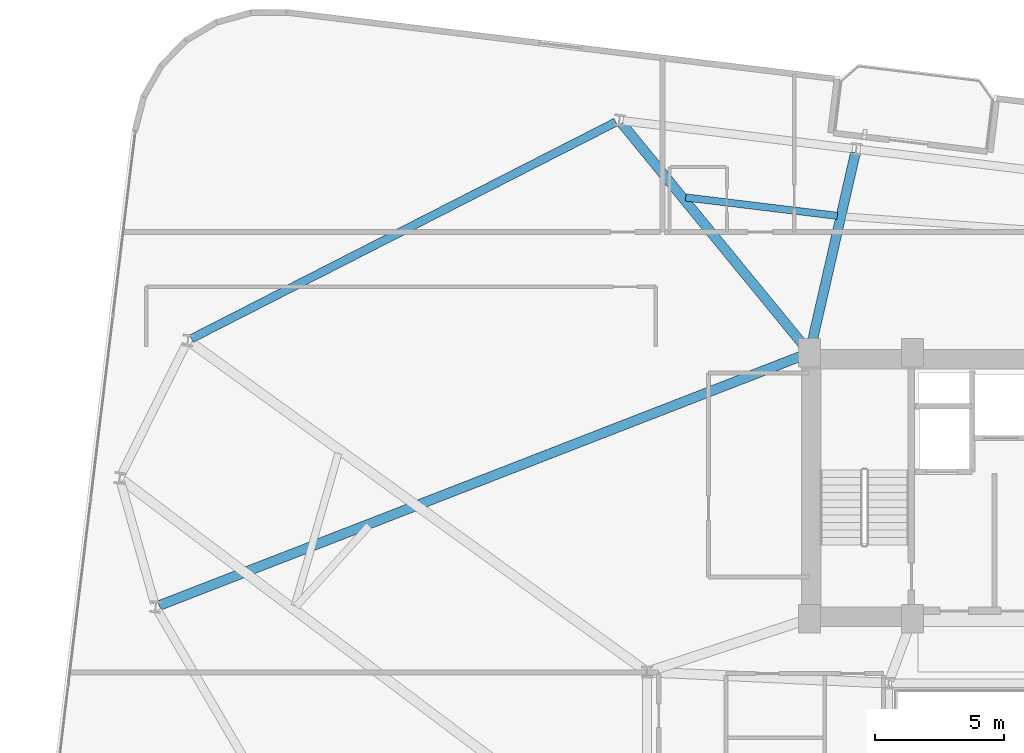
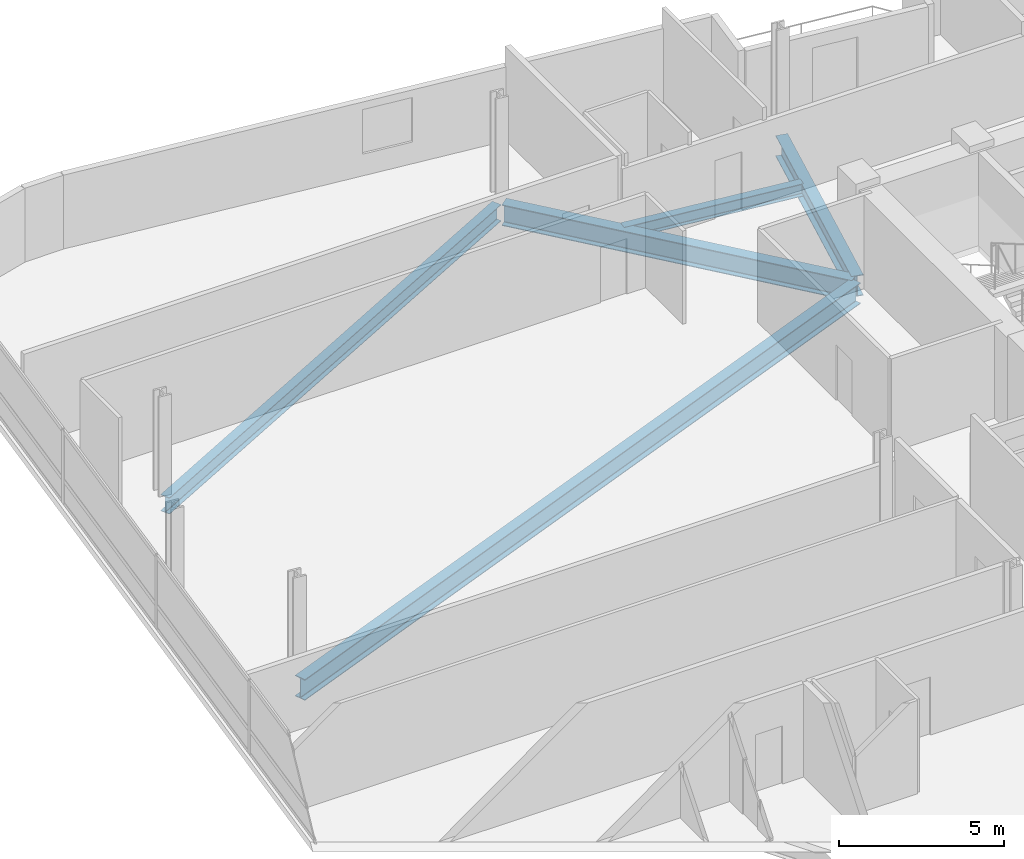
# One storey, part 11 of 26: 5 beams.
"""IFC4 building model written with IfcOpenShell, lengths in metres."""

from ifc_helpers import new_model, si_unit, direction, frame, origin, origin_2d, place, context, subcontext, project, spatial, i_section, extrude, material, material_profile, profile_set, type_object, element, save


model = new_model("IFC4")

# Units and contexts
model_context = context("Model", 3, precision=1e-05, world=origin(), true_north=direction((0.0, 1.0)))
body_context = subcontext(model_context, "Body", "Model", "MODEL_VIEW")
ifc_project = project(units=[si_unit("LENGTHUNIT", "METRE"), si_unit("AREAUNIT", "SQUARE_METRE"), si_unit("VOLUMEUNIT", "CUBIC_METRE"), si_unit("PLANEANGLEUNIT", "RADIAN"), si_unit("MASSUNIT", "GRAM", prefix="KILO")], contexts=[model_context])

# Site, building, storey
site_placement = place(None, origin())
site = spatial("IfcSite", under=ifc_project, at=site_placement, CompositionType="ELEMENT")
building_placement = place(site_placement, origin())
building = spatial("IfcBuilding", under=site, at=building_placement, Name="Varnelok Gate Tower", CompositionType="ELEMENT")
storey_placement = place(building_placement, frame((0.0, 0.0, 147.60009765625)))
storey = spatial("IfcBuildingStorey", under=building, at=storey_placement, Name="L37", CompositionType="ELEMENT", Elevation=147.60009765625)

# Beams
ifc_material = material(Name="Structural Steel ASTM A992 Grade 50", Category="steel")
ifc_material_profile_1 = material_profile(ifc_material, i_section(OverallWidth=0.280029296875, OverallDepth=0.462890625, WebThickness=0.0107421875, FlangeThickness=0.017333984375, FilletRadius=0.014892578125, at=origin_2d()), Name="W18X76")
ifc_profile_set_1 = profile_set([ifc_material_profile_1], Name="Structural Steel ASTM A992 Grade 50")
beam_type_1 = type_object("IfcBeamType", Name="BM-JST-W18X76", PredefinedType="JOIST", material=ifc_profile_set_1)
beam_1_placement = place(storey_placement, frame((31.77099609375, 44.35498046875, -0.481689453125), z_axis=(-0.992731840387, 0.120347385022, 0.0), x_axis=(-0.120347385022, -0.992731840387, 0.0)))
element("IfcBeam", 1, at=beam_1_placement, inside=storey, type_object=beam_type_1, Name="L37 Sector Floor Joist 10", PredefinedType="JOIST", context=body_context, shape_type="SweptSolid", body=[
    extrude(i_section(OverallWidth=0.280029296875, OverallDepth=0.462890625, WebThickness=0.0107421875, FlangeThickness=0.017333984375, FilletRadius=0.014892578125, at=origin_2d()), origin(), (0.0, 0.0, 1.0), 5.91748046875),
])
ifc_material_profile_2 = material_profile(ifc_material, i_section(OverallWidth=0.381103515625, OverallDepth=0.77294921875, WebThickness=0.0166015625, FlangeThickness=0.027099609375, FilletRadius=0.02197265625, at=origin_2d()), Name="W30X173")
ifc_profile_set_2 = profile_set([ifc_material_profile_2], Name="Structural Steel ASTM A992 Grade 50")
beam_type_2 = type_object("IfcBeamType", Name="BM-PRI-W30X173", PredefinedType="BEAM", material=ifc_profile_set_2)
beam_2_placement = place(storey_placement, frame((30.7333984375, 39.1962890625, -0.63671875), z_axis=(0.223043307507, 0.974808536573, 0.0), x_axis=(-0.974808536573, 0.223043307507, 0.0)))
element("IfcBeam", 2, at=beam_2_placement, inside=storey, type_object=beam_type_2, Name="L37 Radial Floor Girder 12", PredefinedType="BEAM", context=body_context, shape_type="SweptSolid", body=[
    extrude(i_section(OverallWidth=0.381103515625, OverallDepth=0.77294921875, WebThickness=0.0166015625, FlangeThickness=0.027099609375, FilletRadius=0.02197265625, at=origin_2d()), origin(), (0.0, 0.0, 1.0), 7.796875),
])
beam_3_placement = place(storey_placement, frame((30.60498046875, 39.166015625, -0.63671875), z_axis=(-0.633655000371, 0.773615757663, 0.0), x_axis=(-0.773615757663, -0.633655000371, 0.0)))
element("IfcBeam", 3, at=beam_3_placement, inside=storey, type_object=beam_type_2, Name="L37 Radial Floor Girder 13", PredefinedType="BEAM", context=body_context, shape_type="SweptSolid", body=[
    extrude(i_section(OverallWidth=0.381103515625, OverallDepth=0.77294921875, WebThickness=0.0166015625, FlangeThickness=0.027099609375, FilletRadius=0.02197265625, at=origin_2d()), origin(), (0.0, 0.0, 1.0), 11.341796875),
])
beam_4_placement = place(storey_placement, frame((30.560302734375, 38.99560546875, -0.63671875), z_axis=(-0.93209869119, -0.362204403454, 0.0), x_axis=(0.362204403454, -0.93209869119, 0.0)))
element("IfcBeam", 4, at=beam_4_placement, inside=storey, type_object=beam_type_2, Name="L37 Radial Floor Girder 16", PredefinedType="BEAM", context=body_context, shape_type="SweptSolid", body=[
    extrude(i_section(OverallWidth=0.381103515625, OverallDepth=0.77294921875, WebThickness=0.0166015625, FlangeThickness=0.027099609375, FilletRadius=0.02197265625, at=origin_2d()), origin(), (0.0, 0.0, 1.0), 26.890869140625),
])
ifc_material_profile_3 = material_profile(ifc_material, i_section(OverallWidth=0.323974609375, OverallDepth=0.611083984375, WebThickness=0.0126953125, FlangeThickness=0.01904296875, FilletRadius=0.01806640625, at=origin_2d()), Name="W24X104")
ifc_profile_set_3 = profile_set([ifc_material_profile_3], Name="Structural Steel ASTM A992 Grade 50")
beam_type_3 = type_object("IfcBeamType", Name="BM-SPN-W24X104", PredefinedType="SPANDREL", material=ifc_profile_set_3)
beam_5_placement = place(storey_placement, frame((23.189697265625, 47.98779296875, -0.5556640625), z_axis=(-0.890729755615, -0.454533279819, 0.0), x_axis=(0.454533279819, -0.890729755615, 0.0)))
element("IfcBeam", 5, at=beam_5_placement, inside=storey, type_object=beam_type_3, Name="L37 Perimeter Spandrel Beam 13", PredefinedType="SPANDREL", context=body_context, shape_type="SweptSolid", body=[
    extrude(i_section(OverallWidth=0.323974609375, OverallDepth=0.611083984375, WebThickness=0.0126953125, FlangeThickness=0.01904296875, FilletRadius=0.01806640625, at=origin_2d()), origin(), (0.0, 0.0, 1.0), 18.466796875),
])

save(model, "model.ifc")
